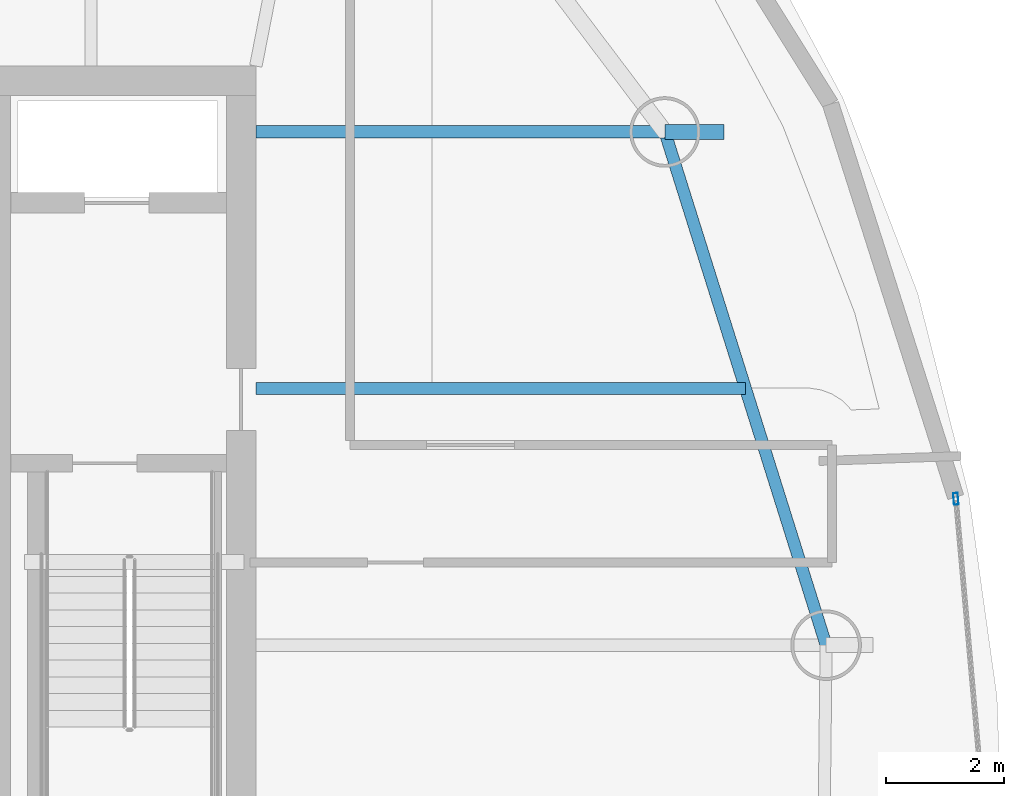
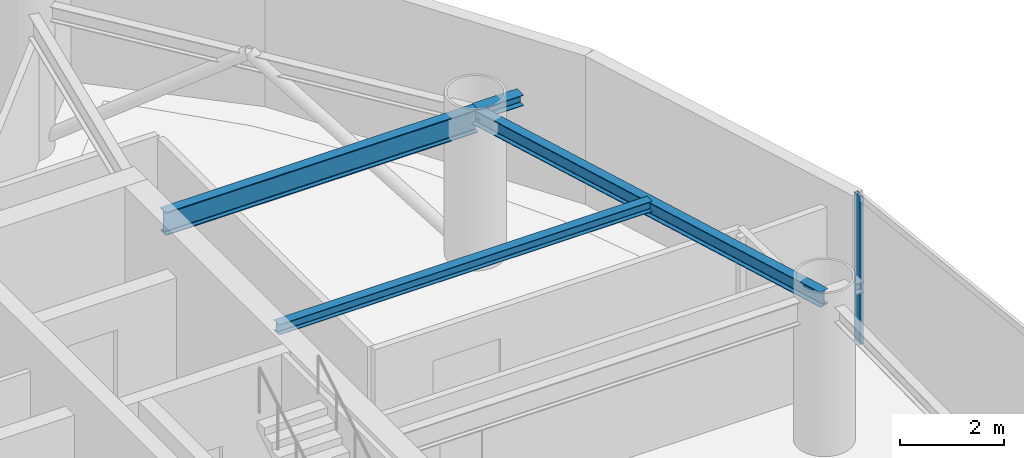
# One storey, part 7 of 18: 4 beams, 1 member, 1 element without a shape of its own.
"""IFC4 building model written with IfcOpenShell, lengths in metres."""

from ifc_helpers import new_model, si_unit, direction, frame, origin, origin_2d, place, context, subcontext, project, spatial, hollow_rectangle, i_section, extrude, material, layer, layer_set, material_profile, profile_set, type_object, element, aggregate, save


model = new_model("IFC4")

# Units and contexts
model_context = context("Model", 3, precision=1e-05, world=origin(), true_north=direction((0.0, 1.0)))
body_context = subcontext(model_context, "Body", "Model", "MODEL_VIEW")
ifc_project = project(units=[si_unit("LENGTHUNIT", "METRE"), si_unit("AREAUNIT", "SQUARE_METRE"), si_unit("VOLUMEUNIT", "CUBIC_METRE"), si_unit("PLANEANGLEUNIT", "RADIAN"), si_unit("MASSUNIT", "GRAM", prefix="KILO")], contexts=[model_context])

# Site, building, storey
site_placement = place(None, origin())
site = spatial("IfcSite", under=ifc_project, at=site_placement, CompositionType="ELEMENT")
building_placement = place(site_placement, origin())
building = spatial("IfcBuilding", under=site, at=building_placement, Name="Bramvorn Convention Spire", CompositionType="ELEMENT")
storey_placement = place(building_placement, frame((0.0, 0.0, 232.800048828125)))
storey = spatial("IfcBuildingStorey", under=building, at=storey_placement, Name="L59", CompositionType="ELEMENT", Elevation=232.800048828125)

# Beams
ifc_material_1 = material(Name="Steel CSA G40.21 Grade 350 (350W)", Category="steel")
ifc_material_profile_1 = material_profile(ifc_material_1, i_section(OverallWidth=0.201904296875, OverallDepth=0.2470703125, WebThickness=0.00732421875, FlangeThickness=0.010986328125, FilletRadius=0.011962890625, at=origin_2d()))
ifc_profile_set_1 = profile_set([ifc_material_profile_1], Name="Steel CSA G40.21 Grade 350 (350W) - W250X49")
beam_type_1 = type_object("IfcBeamType", Name="BM-W250X49", PredefinedType="JOIST", material=ifc_profile_set_1)
beam_1_placement = place(storey_placement, frame((49.25, 27.960205078125, 3.37646484375), z_axis=(1.0, 0.0, 0.0), x_axis=(0.0, 1.0, 0.0)))
element("IfcBeam", 1, at=beam_1_placement, inside=storey, type_object=beam_type_1, Name="L59 composite floor joist 03", PredefinedType="JOIST", context=body_context, shape_type="SweptSolid", body=[
    extrude(i_section(OverallWidth=0.201904296875, OverallDepth=0.2470703125, WebThickness=0.00732421875, FlangeThickness=0.010986328125, FilletRadius=0.011962890625, at=origin_2d()), origin(), (0.0, 0.0, 1.0), 8.33251953125),
])
ifc_material_profile_2 = material_profile(ifc_material_1, i_section(OverallWidth=0.25390625, OverallDepth=0.2529296875, WebThickness=0.008544921875, FlangeThickness=0.01416015625, FilletRadius=0.011962890625, at=origin_2d()))
ifc_profile_set_2 = profile_set([ifc_material_profile_2], Name="Steel CSA G40.21 Grade 350 (350W) - W250X73")
beam_type_2 = type_object("IfcBeamType", Name="BM-W250X73", PredefinedType="BEAM", material=ifc_profile_set_2)
beam_2_placement = place(storey_placement, frame((56.21044921875, 32.327392578125, 3.37353515625), z_axis=(1.0, 0.0, 0.0), x_axis=(0.0, 1.0, 0.0)))
element("IfcBeam", 2, at=beam_2_placement, inside=storey, type_object=beam_type_2, Name="L59 slab-edge cantilever tip beam MC04", PredefinedType="BEAM", context=body_context, shape_type="SweptSolid", body=[
    extrude(i_section(OverallWidth=0.25390625, OverallDepth=0.2529296875, WebThickness=0.008544921875, FlangeThickness=0.01416015625, FilletRadius=0.011962890625, at=origin_2d()), origin(), (0.0, 0.0, 1.0), 1.00537109375),
])
ifc_material_profile_3 = material_profile(ifc_material_1, i_section(OverallWidth=0.205078125, OverallDepth=0.35400390625, WebThickness=0.009521484375, FlangeThickness=0.016845703125, FilletRadius=0.014892578125, at=origin_2d()))
ifc_profile_set_3 = profile_set([ifc_material_profile_3], Name="Steel CSA G40.21 Grade 350 (350W) - W360X79")
beam_type_3 = type_object("IfcBeamType", Name="BM-W360X79", PredefinedType="JOIST", material=ifc_profile_set_3)
beam_3_placement = place(storey_placement, frame((58.95458984375, 23.593505859375, 3.322998046875), z_axis=(-0.299747542929, 0.954018558786, 0.0), x_axis=(-0.954018558786, -0.299747542929, 0.0)))
element("IfcBeam", 3, at=beam_3_placement, inside=storey, type_object=beam_type_3, Name="L59 mega-column ring beam 03", PredefinedType="JOIST", context=body_context, shape_type="SweptSolid", body=[
    extrude(i_section(OverallWidth=0.205078125, OverallDepth=0.35400390625, WebThickness=0.009521484375, FlangeThickness=0.016845703125, FilletRadius=0.014892578125, at=origin_2d()), origin(), (0.0, 0.0, 1.0), 9.15478515625),
])
ifc_material_profile_4 = material_profile(ifc_material_1, i_section(OverallWidth=0.2119140625, OverallDepth=0.5439453125, WebThickness=0.01318359375, FlangeThickness=0.021240234375, FilletRadius=0.01904296875, at=origin_2d()))
ifc_profile_set_4 = profile_set([ifc_material_profile_4], Name="Steel CSA G40.21 Grade 350 (350W) - W530X123")
beam_type_4 = type_object("IfcBeamType", Name="BM-W530X123", PredefinedType="BEAM", material=ifc_profile_set_4)
beam_4_placement = place(storey_placement, frame((49.25, 32.327392578125, 3.22802734375), z_axis=(1.0, 0.0, 0.0), x_axis=(0.0, 1.0, 0.0)))
element("IfcBeam", 4, at=beam_4_placement, inside=storey, type_object=beam_type_4, Name="L59 radial floor girder MC04", PredefinedType="BEAM", context=body_context, shape_type="SweptSolid", body=[
    extrude(i_section(OverallWidth=0.2119140625, OverallDepth=0.5439453125, WebThickness=0.01318359375, FlangeThickness=0.021240234375, FilletRadius=0.01904296875, at=origin_2d()), origin(), (0.0, 0.0, 1.0), 6.96044921875),
])

# Curtain wall, member
ifc_material_2 = material(Name="Anodised Bronze Unitised Curtain Wall", Category="aluminium")
ifc_layer = layer(ifc_material_2, 0.179931640625)
ifc_layer_set = layer_set([ifc_layer], Name="Anodised Bronze Unitised Curtain Wall - CW-OFF-FRIT")
curtain_wall_type = type_object("IfcCurtainWallType", Name="CW-OFF-FRIT", PredefinedType="USERDEFINED", material=ifc_layer_set)
curtain_wall_placement = place(storey_placement, origin())
curtain_wall = element("IfcCurtainWall", 5, at=curtain_wall_placement, inside=storey, type_object=curtain_wall_type, Name="L59 fritted glass curtain wall 04", ObjectType="UNITISED CURTAIN WALL", PredefinedType="USERDEFINED")
ifc_material_3 = material(Name="Anodised Bronze Aluminium 6063-T6", Category="aluminium")
ifc_material_profile_5 = material_profile(ifc_material_3, hollow_rectangle(XDim=0.080078125, YDim=0.199951171875, WallThickness=0.00390625, InnerFilletRadius=0.0009765625, OuterFilletRadius=0.00390625, at=origin_2d()))
ifc_profile_set_5 = profile_set([ifc_material_profile_5], Name="Anodised Bronze Aluminium 6063-T6 - CWM80X200")
member_type = type_object("IfcMemberType", Name="CW-MUL-180", PredefinedType="MULLION", material=ifc_profile_set_5)
member_placement = place(storey_placement, frame((61.16259765625, 26.084716796875, 0.0), z_axis=(0.0, 0.0, 1.0), x_axis=(0.996046396862, 0.08883453888, 0.0)))
member = element("IfcMember", 6, at=member_placement, type_object=member_type, Name="CW3 mullion 1", PredefinedType="MULLION", context=body_context, shape_type="SweptSolid", body=[
    extrude(hollow_rectangle(XDim=0.080078125, YDim=0.199951171875, WallThickness=0.00390625, InnerFilletRadius=0.0009765625, OuterFilletRadius=0.00390625, at=origin_2d()), origin(), (0.0, 0.0, 1.0), 3.5),
])
aggregate(curtain_wall, [member])

save(model, "model.ifc")
